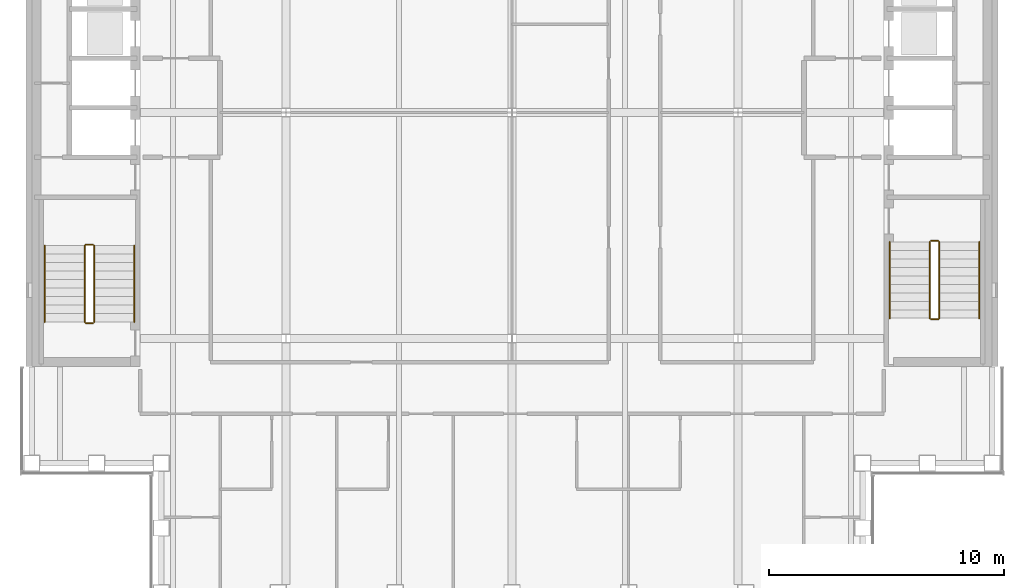
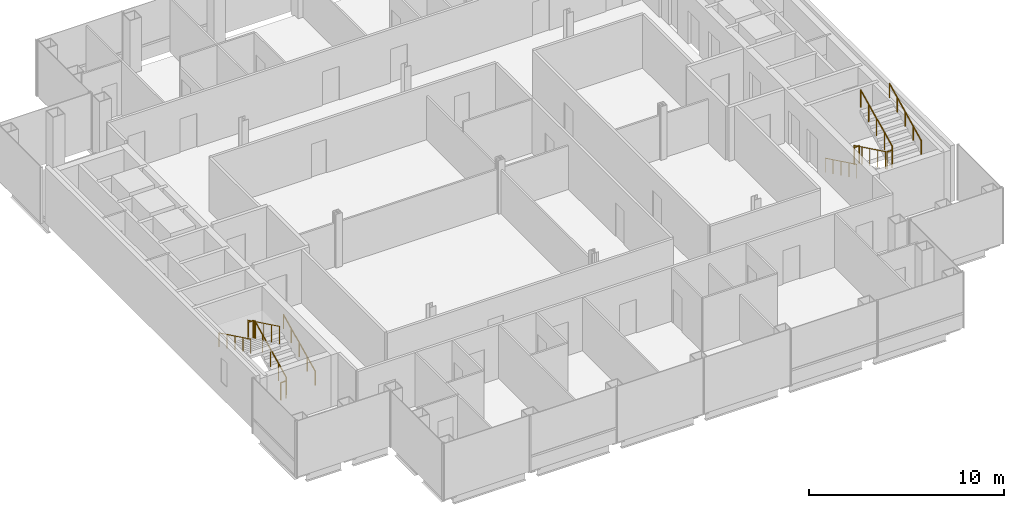
# One storey, part 14 of 15: 12 railings.
"""IFC4 building model written with IfcOpenShell, lengths in metres."""

from ifc_helpers import new_model, si_unit, direction, frame, origin, origin_2d, place, context, subcontext, project, spatial, circle, extrude, material, type_object, element, save


model = new_model("IFC4")

# Units and contexts
model_context = context("Model", 3, precision=1e-05, world=origin(), true_north=direction((0.0, 1.0)))
body_context = subcontext(model_context, "Body", "Model", "MODEL_VIEW")
ifc_project = project(units=[si_unit("LENGTHUNIT", "METRE"), si_unit("AREAUNIT", "SQUARE_METRE"), si_unit("VOLUMEUNIT", "CUBIC_METRE"), si_unit("PLANEANGLEUNIT", "RADIAN"), si_unit("MASSUNIT", "GRAM", prefix="KILO")], contexts=[model_context])

# Site, building, storey
site_placement = place(None, origin())
site = spatial("IfcSite", under=ifc_project, at=site_placement, CompositionType="ELEMENT")
building_placement = place(site_placement, origin())
building = spatial("IfcBuilding", under=site, at=building_placement, Name="Cobrizo Arcos Hotel Tower", CompositionType="ELEMENT")
storey_placement = place(building_placement, frame((0.0, 0.0, 201.5)))
storey = spatial("IfcBuildingStorey", under=building, at=storey_placement, Name="L52", CompositionType="ELEMENT", Elevation=201.5)

# Railings
ifc_material = material(Name="Stainless steel railing", Category="steel")
railing_type_1 = type_object("IfcRailingType", Name="Stair guard 1100", PredefinedType="GUARDRAIL", material=ifc_material)
railing_1_placement = place(storey_placement, frame((-17.75, -8.89990234375, 0.175048828125)))
element("IfcRailing", 1, at=railing_1_placement, inside=storey, type_object=railing_type_1, Name="L52 ST-W stair guard 1", PredefinedType="GUARDRAIL", context=body_context, shape_type="SweptSolid", body=[
    extrude(circle(Radius=0.02392578125, at=origin_2d()), frame((0.0, 0.0, 1.076171875), z_axis=(0.0, 0.899372665325, 0.437182809435), x_axis=(-1.0, 0.0, 0.0)), (0.0, 0.0, 1.0), 3.6025390625),
    extrude(circle(Radius=0.02099609375, at=origin_2d()), origin(), (0.0, 0.0, 1.0), 1.052001953125),
    extrude(circle(Radius=0.02099609375, at=origin_2d()), frame((0.0, 0.81005859375, 0.393798828125)), (0.0, 0.0, 1.0), 1.052001953125),
    extrude(circle(Radius=0.02099609375, at=origin_2d()), frame((0.0, 1.6201171875, 0.78759765625)), (0.0, 0.0, 1.0), 1.052001953125),
    extrude(circle(Radius=0.02099609375, at=origin_2d()), frame((0.0, 2.429931640625, 1.18115234375)), (0.0, 0.0, 1.0), 1.052001953125),
    extrude(circle(Radius=0.02099609375, at=origin_2d()), frame((0.0, 3.239990234375, 1.574951171875)), (0.0, 0.0, 1.0), 1.052001953125),
])
railing_2_placement = place(storey_placement, frame((-17.800048828125, -5.610107421875, 1.75)))
element("IfcRailing", 2, at=railing_2_placement, inside=storey, type_object=railing_type_1, Name="L52 ST-W stair guard 2", PredefinedType="GUARDRAIL", context=body_context, shape_type="SweptSolid", body=[
    extrude(circle(Radius=0.02392578125, at=origin_2d()), frame((0.0, 0.0, 1.076171875), z_axis=(-1.0, 0.0, 0.0), x_axis=(0.0, -1.0, 0.0)), (0.0, 0.0, 1.0), 0.300048828125),
    extrude(circle(Radius=0.02099609375, at=origin_2d()), origin(), (0.0, 0.0, 1.0), 1.052001953125),
    extrude(circle(Radius=0.02099609375, at=origin_2d()), frame((-0.300048828125, 0.0, 0.0)), (0.0, 0.0, 1.0), 1.052001953125),
])
railing_3_placement = place(storey_placement, frame((-18.14990234375, -5.659912109375, 1.925048828125)))
element("IfcRailing", 3, at=railing_3_placement, inside=storey, type_object=railing_type_1, Name="L52 ST-W stair guard 3", PredefinedType="GUARDRAIL", context=body_context, shape_type="SweptSolid", body=[
    extrude(circle(Radius=0.02392578125, at=origin_2d()), frame((0.0, 0.0, 1.076171875), z_axis=(0.0, -0.899372665325, 0.437182809435), x_axis=(1.0, 0.0, 0.0)), (0.0, 0.0, 1.0), 3.6025390625),
    extrude(circle(Radius=0.02099609375, at=origin_2d()), origin(), (0.0, 0.0, 1.0), 1.052001953125),
    extrude(circle(Radius=0.02099609375, at=origin_2d()), frame((0.0, -0.81005859375, 0.393798828125)), (0.0, 0.0, 1.0), 1.052001953125),
    extrude(circle(Radius=0.02099609375, at=origin_2d()), frame((0.0, -1.6201171875, 0.78759765625)), (0.0, 0.0, 1.0), 1.052001953125),
    extrude(circle(Radius=0.02099609375, at=origin_2d()), frame((0.0, -2.429931640625, 1.18115234375)), (0.0, 0.0, 1.0), 1.052001953125),
    extrude(circle(Radius=0.02099609375, at=origin_2d()), frame((0.0, -3.239990234375, 1.574951171875)), (0.0, 0.0, 1.0), 1.052001953125),
])
railing_4_placement = place(storey_placement, frame((-17.800048828125, -8.949951171875, 0.0)))
element("IfcRailing", 4, at=railing_4_placement, inside=storey, type_object=railing_type_1, Name="L52 ST-W stair guard 4", PredefinedType="GUARDRAIL", context=body_context, shape_type="SweptSolid", body=[
    extrude(circle(Radius=0.02392578125, at=origin_2d()), frame((0.0, 0.0, 1.076171875), z_axis=(-1.0, 0.0, 0.0), x_axis=(0.0, -1.0, 0.0)), (0.0, 0.0, 1.0), 0.300048828125),
    extrude(circle(Radius=0.02099609375, at=origin_2d()), origin(), (0.0, 0.0, 1.0), 1.052001953125),
    extrude(circle(Radius=0.02099609375, at=origin_2d()), frame((-0.300048828125, 0.0, 0.0)), (0.0, 0.0, 1.0), 1.052001953125),
])
railing_5_placement = place(storey_placement, frame((17.75, -5.5, 0.175048828125)))
element("IfcRailing", 5, at=railing_5_placement, inside=storey, type_object=railing_type_1, Name="L52 ST-E stair guard 1", PredefinedType="GUARDRAIL", context=body_context, shape_type="SweptSolid", body=[
    extrude(circle(Radius=0.02392578125, at=origin_2d()), frame((0.0, 0.0, 1.076171875), z_axis=(0.0, -0.899372665325, 0.437182809435), x_axis=(1.0, 0.0, 0.0)), (0.0, 0.0, 1.0), 3.6025390625),
    extrude(circle(Radius=0.02099609375, at=origin_2d()), origin(), (0.0, 0.0, 1.0), 1.052001953125),
    extrude(circle(Radius=0.02099609375, at=origin_2d()), frame((0.0, -0.81005859375, 0.393798828125)), (0.0, 0.0, 1.0), 1.052001953125),
    extrude(circle(Radius=0.02099609375, at=origin_2d()), frame((0.0, -1.6201171875, 0.78759765625)), (0.0, 0.0, 1.0), 1.052001953125),
    extrude(circle(Radius=0.02099609375, at=origin_2d()), frame((0.0, -2.429931640625, 1.18115234375)), (0.0, 0.0, 1.0), 1.052001953125),
    extrude(circle(Radius=0.02099609375, at=origin_2d()), frame((0.0, -3.239990234375, 1.574951171875)), (0.0, 0.0, 1.0), 1.052001953125),
])
railing_6_placement = place(storey_placement, frame((17.800048828125, -8.7900390625, 1.75)))
element("IfcRailing", 6, at=railing_6_placement, inside=storey, type_object=railing_type_1, Name="L52 ST-E stair guard 2", PredefinedType="GUARDRAIL", context=body_context, shape_type="SweptSolid", body=[
    extrude(circle(Radius=0.02392578125, at=origin_2d()), frame((0.0, 0.0, 1.076171875), z_axis=(1.0, 0.0, 0.0), x_axis=(0.0, 1.0, 0.0)), (0.0, 0.0, 1.0), 0.300048828125),
    extrude(circle(Radius=0.02099609375, at=origin_2d()), origin(), (0.0, 0.0, 1.0), 1.052001953125),
    extrude(circle(Radius=0.02099609375, at=origin_2d()), frame((0.300048828125, 0.0, 0.0)), (0.0, 0.0, 1.0), 1.052001953125),
])
railing_7_placement = place(storey_placement, frame((18.14990234375, -8.739990234375, 1.925048828125)))
element("IfcRailing", 7, at=railing_7_placement, inside=storey, type_object=railing_type_1, Name="L52 ST-E stair guard 3", PredefinedType="GUARDRAIL", context=body_context, shape_type="SweptSolid", body=[
    extrude(circle(Radius=0.02392578125, at=origin_2d()), frame((0.0, 0.0, 1.076171875), z_axis=(0.0, 0.899372665325, 0.437182809435), x_axis=(-1.0, 0.0, 0.0)), (0.0, 0.0, 1.0), 3.6025390625),
    extrude(circle(Radius=0.02099609375, at=origin_2d()), origin(), (0.0, 0.0, 1.0), 1.052001953125),
    extrude(circle(Radius=0.02099609375, at=origin_2d()), frame((0.0, 0.81005859375, 0.393798828125)), (0.0, 0.0, 1.0), 1.052001953125),
    extrude(circle(Radius=0.02099609375, at=origin_2d()), frame((0.0, 1.6201171875, 0.78759765625)), (0.0, 0.0, 1.0), 1.052001953125),
    extrude(circle(Radius=0.02099609375, at=origin_2d()), frame((0.0, 2.429931640625, 1.18115234375)), (0.0, 0.0, 1.0), 1.052001953125),
    extrude(circle(Radius=0.02099609375, at=origin_2d()), frame((0.0, 3.239990234375, 1.574951171875)), (0.0, 0.0, 1.0), 1.052001953125),
])
railing_8_placement = place(storey_placement, frame((17.800048828125, -5.449951171875, 0.0)))
element("IfcRailing", 8, at=railing_8_placement, inside=storey, type_object=railing_type_1, Name="L52 ST-E stair guard 4", PredefinedType="GUARDRAIL", context=body_context, shape_type="SweptSolid", body=[
    extrude(circle(Radius=0.02392578125, at=origin_2d()), frame((0.0, 0.0, 1.076171875), z_axis=(1.0, 0.0, 0.0), x_axis=(0.0, 1.0, 0.0)), (0.0, 0.0, 1.0), 0.300048828125),
    extrude(circle(Radius=0.02099609375, at=origin_2d()), origin(), (0.0, 0.0, 1.0), 1.052001953125),
    extrude(circle(Radius=0.02099609375, at=origin_2d()), frame((0.300048828125, 0.0, 0.0)), (0.0, 0.0, 1.0), 1.052001953125),
])
railing_type_2 = type_object("IfcRailingType", Name="Stair handrail", PredefinedType="HANDRAIL", material=ifc_material)
railing_9_placement = place(storey_placement, frame((-16.050048828125, -8.89990234375, 0.175048828125)))
element("IfcRailing", 9, at=railing_9_placement, inside=storey, type_object=railing_type_2, Name="L52 ST-W stair handrail 1", PredefinedType="HANDRAIL", context=body_context, shape_type="SweptSolid", body=[
    extrude(circle(Radius=0.02392578125, at=origin_2d()), frame((0.0, 0.0, 0.8759765625), z_axis=(0.0, 0.899372665325, 0.437182809435), x_axis=(-1.0, 0.0, 0.0)), (0.0, 0.0, 1.0), 3.6025390625),
    extrude(circle(Radius=0.02099609375, at=origin_2d()), origin(), (0.0, 0.0, 1.0), 0.851806640625),
    extrude(circle(Radius=0.02099609375, at=origin_2d()), frame((0.0, 0.81005859375, 0.393798828125)), (0.0, 0.0, 1.0), 0.851806640625),
    extrude(circle(Radius=0.02099609375, at=origin_2d()), frame((0.0, 1.6201171875, 0.78759765625)), (0.0, 0.0, 1.0), 0.851806640625),
    extrude(circle(Radius=0.02099609375, at=origin_2d()), frame((0.0, 2.429931640625, 1.18115234375)), (0.0, 0.0, 1.0), 0.851806640625),
    extrude(circle(Radius=0.02099609375, at=origin_2d()), frame((0.0, 3.239990234375, 1.574951171875)), (0.0, 0.0, 1.0), 0.851806640625),
])
for number, where, name in (
    (10, (-19.85009765625, -5.659912109375, 1.925048828125), "L52 ST-W stair handrail 2"),
    (11, (16.050048828125, -5.5, 0.175048828125), "L52 ST-E stair handrail 1"),
):
    element("IfcRailing", number, at=place(storey_placement, frame(where)), inside=storey, type_object=railing_type_2, Name=name, PredefinedType="HANDRAIL", context=body_context, shape_type="SweptSolid", body=[
        extrude(circle(Radius=0.02392578125, at=origin_2d()), frame((0.0, 0.0, 0.8759765625), z_axis=(0.0, -0.899372665325, 0.437182809435), x_axis=(1.0, 0.0, 0.0)), (0.0, 0.0, 1.0), 3.6025390625),
        extrude(circle(Radius=0.02099609375, at=origin_2d()), origin(), (0.0, 0.0, 1.0), 0.851806640625),
        extrude(circle(Radius=0.02099609375, at=origin_2d()), frame((0.0, -0.81005859375, 0.393798828125)), (0.0, 0.0, 1.0), 0.851806640625),
        extrude(circle(Radius=0.02099609375, at=origin_2d()), frame((0.0, -1.6201171875, 0.78759765625)), (0.0, 0.0, 1.0), 0.851806640625),
        extrude(circle(Radius=0.02099609375, at=origin_2d()), frame((0.0, -2.429931640625, 1.18115234375)), (0.0, 0.0, 1.0), 0.851806640625),
        extrude(circle(Radius=0.02099609375, at=origin_2d()), frame((0.0, -3.239990234375, 1.574951171875)), (0.0, 0.0, 1.0), 0.851806640625),
    ])
railing_10_placement = place(storey_placement, frame((19.85009765625, -8.739990234375, 1.925048828125)))
element("IfcRailing", 12, at=railing_10_placement, inside=storey, type_object=railing_type_2, Name="L52 ST-E stair handrail 2", PredefinedType="HANDRAIL", context=body_context, shape_type="SweptSolid", body=[
    extrude(circle(Radius=0.02392578125, at=origin_2d()), frame((0.0, 0.0, 0.8759765625), z_axis=(0.0, 0.899372665325, 0.437182809435), x_axis=(-1.0, 0.0, 0.0)), (0.0, 0.0, 1.0), 3.6025390625),
    extrude(circle(Radius=0.02099609375, at=origin_2d()), origin(), (0.0, 0.0, 1.0), 0.851806640625),
    extrude(circle(Radius=0.02099609375, at=origin_2d()), frame((0.0, 0.81005859375, 0.393798828125)), (0.0, 0.0, 1.0), 0.851806640625),
    extrude(circle(Radius=0.02099609375, at=origin_2d()), frame((0.0, 1.6201171875, 0.78759765625)), (0.0, 0.0, 1.0), 0.851806640625),
    extrude(circle(Radius=0.02099609375, at=origin_2d()), frame((0.0, 2.429931640625, 1.18115234375)), (0.0, 0.0, 1.0), 0.851806640625),
    extrude(circle(Radius=0.02099609375, at=origin_2d()), frame((0.0, 3.239990234375, 1.574951171875)), (0.0, 0.0, 1.0), 0.851806640625),
])

save(model, "model.ifc")
